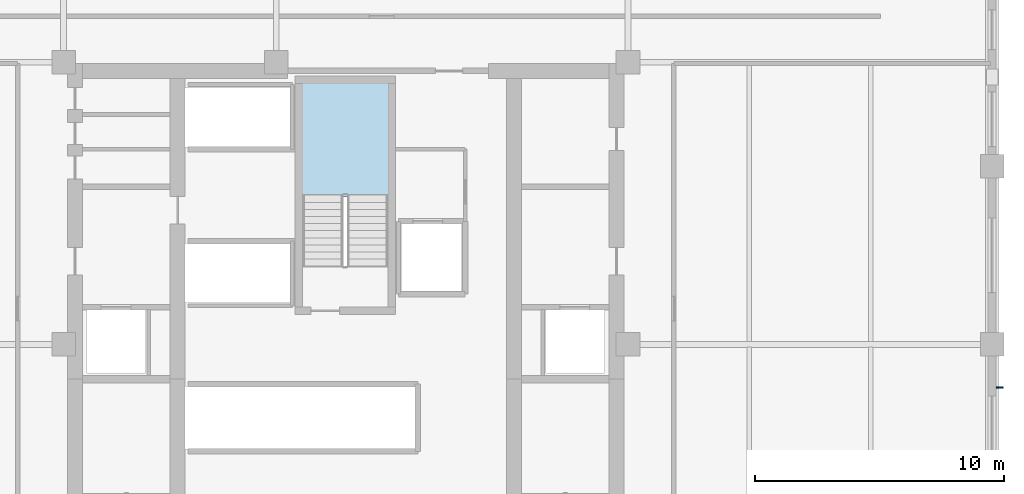
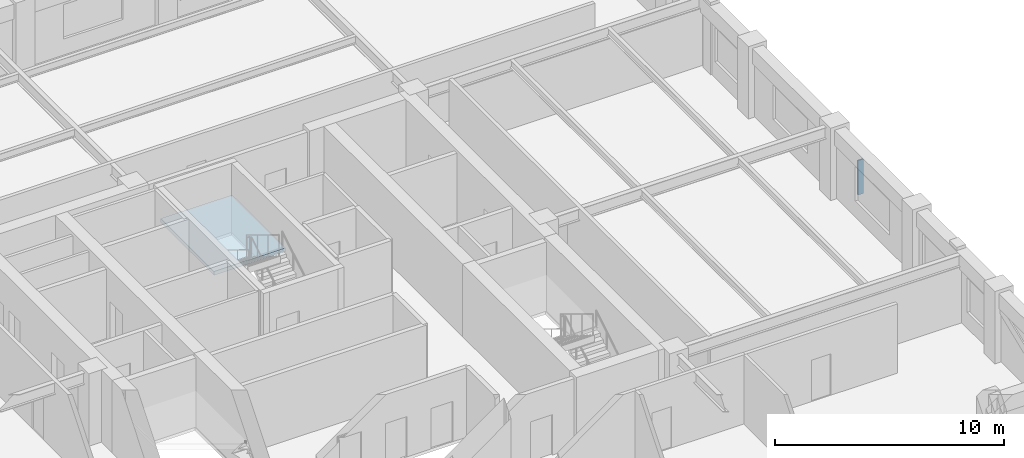
# One storey, part 6 of 12: 1 plate, 1 slab, 1 element without a shape of its own.
"""IFC4 building model written with IfcOpenShell, lengths in metres."""

from ifc_helpers import new_model, si_unit, direction, frame, origin, origin_2d, place, context, subcontext, project, spatial, polyline, rectangle, outline, extrude, material, layer, layer_set, type_object, element, aggregate, save


model = new_model("IFC4")

# Units and contexts
model_context = context("Model", 3, precision=1e-05, world=origin(), true_north=direction((0.0, 1.0)))
body_context = subcontext(model_context, "Body", "Model", "MODEL_VIEW")
ifc_project = project(units=[si_unit("LENGTHUNIT", "METRE"), si_unit("AREAUNIT", "SQUARE_METRE"), si_unit("VOLUMEUNIT", "CUBIC_METRE"), si_unit("PLANEANGLEUNIT", "RADIAN"), si_unit("MASSUNIT", "GRAM", prefix="KILO")], contexts=[model_context])

# Site, building, storey
site_placement = place(None, origin())
site = spatial("IfcSite", under=ifc_project, at=site_placement, CompositionType="ELEMENT")
building_placement = place(site_placement, origin())
building = spatial("IfcBuilding", under=site, at=building_placement, Name="Nhamokura Convention Tower", CompositionType="ELEMENT")
storey_placement = place(building_placement, frame((0.0, 0.0, 164.5)))
storey = spatial("IfcBuildingStorey", under=building, at=storey_placement, Name="L40", CompositionType="ELEMENT", Elevation=164.5)

# Plate
ifc_material_1 = material(Name="Anodised bronze aluminium AA6063-T6", Category="aluminium")
plate_type = type_object("IfcPlateType", Name="BronzeSolarFin_2", PredefinedType="USERDEFINED", material=ifc_material_1)
plate_placement = place(storey_placement, frame((58.300048828125, 30.2666015625, 0.85009765625), z_axis=(0.0, 0.0, 1.0), x_axis=(1.0, 0.0, 0.0)))
element("IfcPlate", 1, at=plate_placement, inside=storey, type_object=plate_type, Name="L40 Bronze Solar Shading Fin EAST 2", ObjectType="SOLAR_FIN", PredefinedType="USERDEFINED", context=body_context, shape_type="SweptSolid", body=[
    extrude(rectangle(XDim=0.280029296875, YDim=0.06005859375, at=origin_2d()), origin(), (0.0, 0.0, 1.0), 1.8349609375),
])

# Stair, slab
ifc_material_2 = material(Name="Concrete C40/50", Category="concrete")
stair_type = type_object("IfcStairType", Name="TowerCoreStair_1650", PredefinedType="HALF_TURN_STAIR", material=ifc_material_2)
stair_placement = place(storey_placement, origin())
stair = element("IfcStair", 2, at=stair_placement, inside=storey, type_object=stair_type, Name="L40 North Core Smokeproof Stair ST-03", PredefinedType="HALF_TURN_STAIR")
ifc_material_3 = material(Name="Concrete C40/50", Category="concrete")
ifc_layer = layer(ifc_material_3, 0.199951171875)
ifc_layer_set = layer_set([ifc_layer], Name="StairLandingSlab_200")
slab_type = type_object("IfcSlabType", Name="StairLandingSlab_200", PredefinedType="LANDING", material=ifc_layer_set)
slab_placement = place(storey_placement, frame((0.0, 0.0, 1.72509765625)))
slab = element("IfcSlab", 3, at=slab_placement, type_object=slab_type, Name="ST-03 landing 1", PredefinedType="LANDING", context=body_context, shape_type="SweptSolid", body=[
    extrude(outline(polyline([(33.780029296875, 37.919921875), (33.780029296875, 42.580078125), (30.169921875, 42.580078125), (30.169921875, 37.919921875), (33.780029296875, 37.919921875)])), origin(), (0.0, 0.0, 1.0), 0.199951171875),
])
aggregate(stair, [slab])

save(model, "model.ifc")
